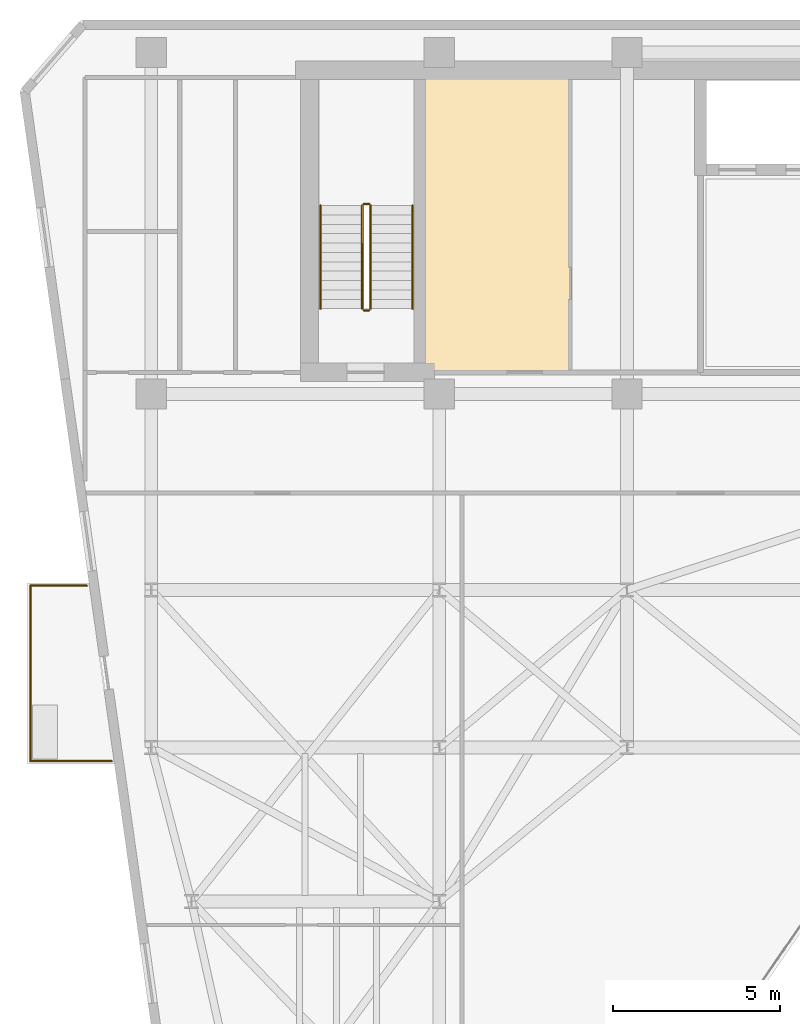
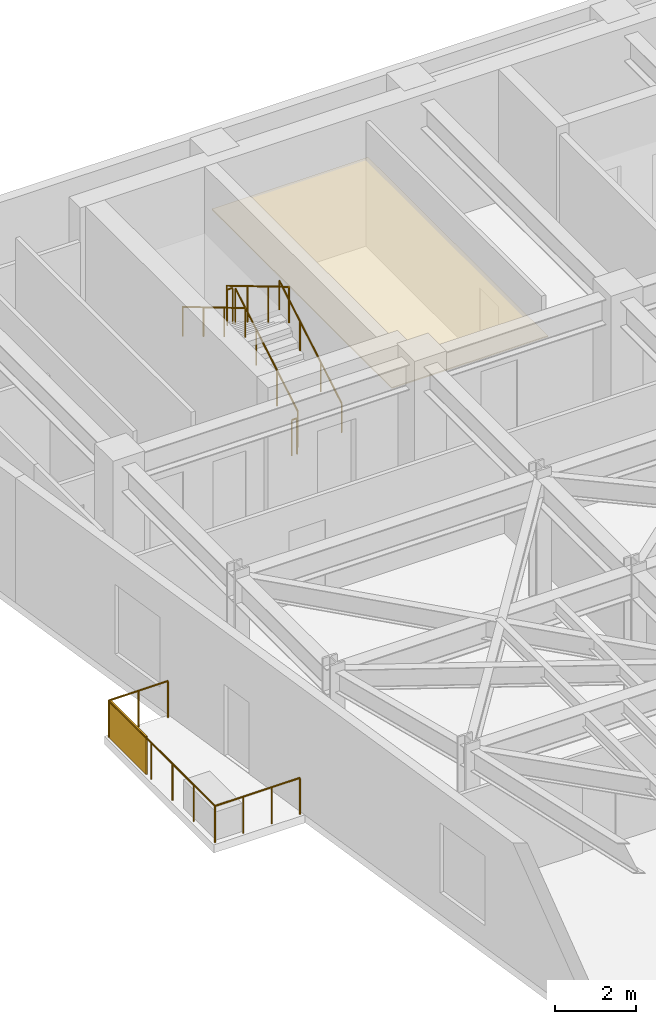
# One storey, part 19 of 21: 9 railings, 1 covering, 1 shading device.
"""IFC4 building model written with IfcOpenShell, lengths in metres."""

import ifcopenshell
import ifcopenshell.guid

model = None  # the IFC model being written
_history = None  # IfcOwnerHistory: only IFC2X3 demands one
_inside = {}  # id of a spatial element -> (the spatial element, [elements in it])
_under = {}  # id of a project, library or spatial element -> (it, [spatial elements below it])
_declared = {}  # id of a project -> (the project, [libraries it declares])
_typed = {}  # id of a type object -> (the type object, [elements of that type])
_made_of = {}  # id of a material, layer set ... -> (it, [elements and type objects made of it])


def new_model(schema):
    """Start an empty IFC model of exactly this schema.

    Asked for "IFC4X3", IfcOpenShell would pick the latest addendum, in which some entities
    have other attributes; the version numbers below select the first issue.
    IFC2X3 requires an IfcOwnerHistory on every rooted entity: one is made here for all.
    """
    global model, _history
    if schema == "IFC4X3":
        model = ifcopenshell.file(schema_version=(4, 3, 0, 0))
    else:
        model = ifcopenshell.file(schema=schema)
    _inside.clear()
    _under.clear()
    _declared.clear()
    _typed.clear()
    _made_of.clear()
    _history = None
    if model.schema == "IFC2X3":
        org = make("IfcOrganization", Name="unknown")
        user = make(
            "IfcPersonAndOrganization",
            ThePerson=make("IfcPerson", FamilyName="unknown"),
            TheOrganization=org,
        )
        app = make(
            "IfcApplication",
            ApplicationDeveloper=org,
            Version="unknown",
            ApplicationFullName="unknown",
            ApplicationIdentifier="unknown",
        )
        _history = make(
            "IfcOwnerHistory",
            OwningUser=user,
            OwningApplication=app,
            ChangeAction="ADDED",
            CreationDate=0,
        )
    return model


def make(cls, **values):
    """One entity of the class cls with the attributes given. An attribute that is None is left unset."""
    return model.create_entity(
        cls, **{name: value for name, value in values.items() if value is not None}
    )


def rooted(cls, **values):
    """An entity with a GlobalId (a new one), such as an element, a storey or a relation."""
    return make(cls, GlobalId=ifcopenshell.guid.new(), OwnerHistory=_history, **values)


def si_unit(unit_type, name, prefix=None):
    """IfcSIUnit, for example si_unit("LENGTHUNIT", "METRE", prefix="MILLI")."""
    return make("IfcSIUnit", UnitType=unit_type, Prefix=prefix, Name=name)


def assignment(units):
    """IfcUnitAssignment: the units of a project."""
    return None if units is None else make("IfcUnitAssignment", Units=units)


def point(xyz):
    """IfcCartesianPoint."""
    return None if xyz is None else make("IfcCartesianPoint", Coordinates=xyz)


def direction(xyz):
    """IfcDirection."""
    return None if xyz is None else make("IfcDirection", DirectionRatios=xyz)


def frame(location, z_axis=None, x_axis=None):
    """IfcAxis2Placement3D, a coordinate frame: its origin and axes. An axis left out is left unset."""
    return make(
        "IfcAxis2Placement3D",
        Location=point(location),
        Axis=direction(z_axis),
        RefDirection=direction(x_axis),
    )


def frame_2d(location, x_axis=None):
    """IfcAxis2Placement2D, a coordinate frame in the plane: its origin and x axis."""
    return make(
        "IfcAxis2Placement2D", Location=point(location), RefDirection=direction(x_axis)
    )


def origin():
    """The frame at (0, 0, 0) with its axes left unset."""
    return frame((0.0, 0.0, 0.0))


def origin_2d():
    """The frame at (0, 0) in the plane with its x axis left unset."""
    return frame_2d((0.0, 0.0))


def place(relative_to, where):
    """IfcLocalPlacement: puts the frame where relative to a parent placement (None: the world)."""
    return make(
        "IfcLocalPlacement", PlacementRelTo=relative_to, RelativePlacement=where
    )


def context(
    kind, dimensions, precision=None, world=None, true_north=None, identifier=None
):
    """IfcGeometricRepresentationContext, for example the 3D "Model" context."""
    return make(
        "IfcGeometricRepresentationContext",
        ContextIdentifier=identifier,
        ContextType=kind,
        CoordinateSpaceDimension=dimensions,
        Precision=precision,
        WorldCoordinateSystem=world,
        TrueNorth=true_north,
    )


def subcontext(parent, identifier, kind, view, scale=None):
    """IfcGeometricRepresentationSubContext, for example "Body" below "Model"."""
    return make(
        "IfcGeometricRepresentationSubContext",
        ContextIdentifier=identifier,
        ContextType=kind,
        ParentContext=parent,
        TargetScale=scale,
        TargetView=view,
    )


def project(units=None, contexts=None):
    """IfcProject with its units and contexts."""
    return rooted(
        "IfcProject",
        Name="project",
        RepresentationContexts=contexts,
        UnitsInContext=assignment(units),
    )


def spatial(cls, under=None, at=None, **own):
    """A site, building, storey or space (cls), placed at a placement, below another one or the project."""
    s = rooted(cls, ObjectPlacement=at, **own)
    if under is not None:
        _under.setdefault(under.id(), (under, []))[1].append(s)
    return s


def polyline(points):
    """IfcPolyline through the points."""
    return make("IfcPolyline", Points=[point(p) for p in points])


def profile(cls, at=None, kind="AREA", **sizes):
    """A parametric profile (cls). Its sizes go by their IFC names, for example OverallWidth=200.0."""
    return make(cls, ProfileType=kind, Position=at, **sizes)


def rectangle(**sizes):
    """IfcRectangleProfileDef."""
    return profile("IfcRectangleProfileDef", **sizes)


def circle(**sizes):
    """IfcCircleProfileDef."""
    return profile("IfcCircleProfileDef", **sizes)


def outline(outer, holes=None, kind="AREA"):
    """IfcArbitraryClosedProfileDef: a profile drawn as a closed curve; with holes, ...WithVoids."""
    if holes is None:
        return make("IfcArbitraryClosedProfileDef", ProfileType=kind, OuterCurve=outer)
    return make(
        "IfcArbitraryProfileDefWithVoids",
        ProfileType=kind,
        OuterCurve=outer,
        InnerCurves=holes,
    )


def extrude(swept, where, along, depth):
    """IfcExtrudedAreaSolid: the profile swept, set in the frame where, extruded along a direction by depth."""
    return make(
        "IfcExtrudedAreaSolid",
        SweptArea=swept,
        Position=where,
        ExtrudedDirection=direction(along),
        Depth=depth,
    )


def shape(context_of_items, identifier, shape_type, items):
    """IfcShapeRepresentation: the items that make up one representation, for example the "Body"."""
    return make(
        "IfcShapeRepresentation",
        ContextOfItems=context_of_items,
        RepresentationIdentifier=identifier,
        RepresentationType=shape_type,
        Items=items,
    )


def material(Name=None, Category=None):
    """IfcMaterial."""
    return make("IfcMaterial", Name=Name, Category=Category)


def layer(
    of_material, thickness, ventilated=None, Name=None, Category=None, Priority=None
):
    """IfcMaterialLayer: one layer of a wall or slab, of a material (None: an air gap)."""
    return make(
        "IfcMaterialLayer",
        Material=of_material,
        LayerThickness=thickness,
        IsVentilated=ventilated,
        Name=Name,
        Category=Category,
        Priority=Priority,
    )


def layer_set(layers, Name=None):
    """IfcMaterialLayerSet."""
    return make("IfcMaterialLayerSet", MaterialLayers=layers, LayerSetName=Name)


def made_of(thing, what):
    """Note that an element or type object is made of a material, layer set ...; save() writes the relation."""
    if what is not None:
        _made_of.setdefault(what.id(), (what, []))[1].append(thing)
    return thing


def type_object(cls, material=None, **own):
    """A type object (cls), such as IfcWallType, which elements share."""
    return made_of(rooted(cls, **own), material)


def element(
    cls,
    number,
    at=None,
    inside=None,
    cuts=None,
    type_object=None,
    material=None,
    context=None,
    identifier="Body",
    shape_type=None,
    held_by="IfcProductDefinitionShape",
    body=None,
    shapes=None,
    **own,
):
    """One element of the class cls, such as IfcWall. Its Tag is "e" and its number.

    at: its placement. inside: the storey or other place that contains it. cuts: it is an
    opening in that element (IfcRelVoidsElement). A single representation is given by context,
    identifier, shape_type and body (its items); several are given by shapes. held_by: the class
    of the entity that holds the representations. save() writes the other relations.
    """
    e = rooted(cls, Tag="e%d" % number, ObjectPlacement=at, **own)
    if body is not None:
        shapes = [shape(context, identifier, shape_type, body)]
    if shapes is not None:
        e.Representation = make(held_by, Representations=shapes)
    if inside is not None:
        _inside.setdefault(inside.id(), (inside, []))[1].append(e)
    if cuts is not None:
        rooted(
            "IfcRelVoidsElement", RelatingBuildingElement=cuts, RelatedOpeningElement=e
        )
    if type_object is not None:
        _typed.setdefault(type_object.id(), (type_object, []))[1].append(e)
    return made_of(e, material)


def aggregate(whole, parts):
    """IfcRelAggregates: a whole, such as a stair, and the parts it consists of."""
    return rooted("IfcRelAggregates", RelatingObject=whole, RelatedObjects=parts)


def save(model, path):
    """Write the relations noted so far, then the file.

    IfcRelAggregates (storeys below a building ...), IfcRelContainedInSpatialStructure (elements
    in a storey), IfcRelDefinesByType, IfcRelAssociatesMaterial and IfcRelDeclares: one each for
    every whole, place, type object, material and project.
    """
    for whole, parts in _under.values():
        aggregate(whole, parts)
    for where, things in _inside.values():
        rooted(
            "IfcRelContainedInSpatialStructure",
            RelatedElements=things,
            RelatingStructure=where,
        )
    for kind, things in _typed.values():
        rooted("IfcRelDefinesByType", RelatedObjects=things, RelatingType=kind)
    for what, things in _made_of.values():
        rooted("IfcRelAssociatesMaterial", RelatedObjects=things, RelatingMaterial=what)
    for by, libraries in _declared.values():
        rooted("IfcRelDeclares", RelatingContext=by, RelatedDefinitions=libraries)
    model.write(path)


model = new_model("IFC4")

# Units and contexts
model_context = context("Model", 3, precision=1e-05, world=origin(), true_north=direction((0.0, 1.0)))
body_context = subcontext(model_context, "Body", "Model", "MODEL_VIEW")
ifc_project = project(units=[si_unit("LENGTHUNIT", "METRE"), si_unit("AREAUNIT", "SQUARE_METRE"), si_unit("VOLUMEUNIT", "CUBIC_METRE"), si_unit("PLANEANGLEUNIT", "RADIAN"), si_unit("MASSUNIT", "GRAM", prefix="KILO")], contexts=[model_context])

# Site, building, storey
site_placement = place(None, origin())
site = spatial("IfcSite", under=ifc_project, at=site_placement, CompositionType="ELEMENT")
building_placement = place(site_placement, origin())
building = spatial("IfcBuilding", under=site, at=building_placement, Name="Kravanh Interchange Tower", CompositionType="ELEMENT")
storey_placement = place(building_placement, frame((0.0, 0.0, 176.5)))
storey = spatial("IfcBuildingStorey", under=building, at=storey_placement, Name="L42", CompositionType="ELEMENT", Elevation=176.5)

# Covering
ifc_material_1 = material(Name="Anodised Bronze Aluminium Acoustic Baffle", Category="aluminium")
ifc_layer_1 = layer(ifc_material_1, 0.034912109375)
ifc_layer_set_1 = layer_set([ifc_layer_1], Name="Linear Bronze Baffle Feature Ceiling 35mm")
covering_type = type_object("IfcCoveringType", Name="Linear Bronze Baffle Feature Ceiling 35mm", PredefinedType="CEILING", material=ifc_layer_set_1)
covering_placement = place(storey_placement, frame((0.0, 0.0, 2.550048828125)))
element("IfcCovering", 1, at=covering_placement, inside=storey, type_object=covering_type, Name="L42 Regional IT Server Suite Suspended Ceiling", PredefinedType="CEILING", context=body_context, shape_type="SweptSolid", body=[
    extrude(outline(polyline([(31.159912109375, 37.9599609375), (26.7099609375, 37.9599609375), (26.7099609375, 46.840087890625), (31.159912109375, 46.840087890625), (31.159912109375, 37.9599609375)])), origin(), (0.0, 0.0, 1.0), 0.034912109375),
])

# Shading device
ifc_material_2 = material(Name="Perforated Anodised Bronze Aluminium", Category="aluminium")
ifc_layer_2 = layer(ifc_material_2, 0.0400390625)
ifc_layer_set_2 = layer_set([ifc_layer_2], Name="Perforated Bronze Balcony Privacy Screen 1150mm")
shading_device_type = type_object("IfcShadingDeviceType", Name="Perforated Bronze Balcony Privacy Screen 1150mm", PredefinedType="USERDEFINED", material=ifc_layer_set_2)
shading_device_placement = place(storey_placement, frame((14.989990234375, 30.659912109375, 0.0), z_axis=(0.0, 0.0, 1.0), x_axis=(1.0, 0.0, 0.0)))
element("IfcShadingDevice", 2, at=shading_device_placement, inside=storey, type_object=shading_device_type, Name="L42 W Perforated Bronze BALCONY SCREEN", ObjectType="SCREEN", PredefinedType="USERDEFINED", context=body_context, shape_type="SweptSolid", body=[
    extrude(rectangle(XDim=0.0400390625, YDim=1.800048828125, at=origin_2d()), origin(), (0.0, 0.0, 1.0), 1.14990234375),
])

# Railings
ifc_material_3 = material(Name="Stainless Steel 316", Category="steel")
ifc_layer_3 = layer(ifc_material_3, 0.06005859375)
ifc_layer_set_3 = layer_set([ifc_layer_3], Name="Perimeter Balcony and Terrace Guardrail Stainless 316 1120mm")
railing_type_1 = type_object("IfcRailingType", Name="Perimeter Balcony and Terrace Guardrail Stainless 316 1120mm", PredefinedType="GUARDRAIL", material=ifc_layer_set_3)
railing_1_placement = place(storey_placement, frame((14.989990234375, 26.389892578125, 0.0)))
element("IfcRailing", 3, at=railing_1_placement, inside=storey, type_object=railing_type_1, Name="L42 W Balcony Guardrail 1", PredefinedType="GUARDRAIL", context=body_context, shape_type="SweptSolid", body=[
    extrude(circle(Radius=0.02392578125, at=origin_2d()), frame((0.0, 0.0, 1.09619140625), z_axis=(0.0, 1.0, 0.0), x_axis=(-1.0, 0.0, 0.0)), (0.0, 0.0, 1.0), 5.239990234375),
    extrude(circle(Radius=0.02099609375, at=origin_2d()), origin(), (0.0, 0.0, 1.0), 1.072021484375),
    extrude(circle(Radius=0.02099609375, at=origin_2d()), frame((0.0, 1.048095703125, 0.0)), (0.0, 0.0, 1.0), 1.072021484375),
    extrude(circle(Radius=0.02099609375, at=origin_2d()), frame((0.0, 2.095947265625, 0.0)), (0.0, 0.0, 1.0), 1.072021484375),
    extrude(circle(Radius=0.02099609375, at=origin_2d()), frame((0.0, 3.14404296875, 0.0)), (0.0, 0.0, 1.0), 1.072021484375),
    extrude(circle(Radius=0.02099609375, at=origin_2d()), frame((0.0, 4.19189453125, 0.0)), (0.0, 0.0, 1.0), 1.072021484375),
    extrude(circle(Radius=0.02099609375, at=origin_2d()), frame((0.0, 5.239990234375, 0.0)), (0.0, 0.0, 1.0), 1.072021484375),
])
railing_2_placement = place(storey_placement, frame((14.989990234375, 31.6298828125, 0.0)))
element("IfcRailing", 4, at=railing_2_placement, inside=storey, type_object=railing_type_1, Name="L42 W Balcony Guardrail 2", PredefinedType="GUARDRAIL", context=body_context, shape_type="SweptSolid", body=[
    extrude(circle(Radius=0.02392578125, at=origin_2d()), frame((0.0, 0.0, 1.09619140625), z_axis=(1.0, 0.0, 0.0), x_axis=(0.0, 1.0, 0.0)), (0.0, 0.0, 1.0), 1.68505859375),
    extrude(circle(Radius=0.02099609375, at=origin_2d()), origin(), (0.0, 0.0, 1.0), 1.072021484375),
    extrude(circle(Radius=0.02099609375, at=origin_2d()), frame((0.842529296875, 0.0, 0.0)), (0.0, 0.0, 1.0), 1.072021484375),
    extrude(circle(Radius=0.02099609375, at=origin_2d()), frame((1.68505859375, 0.0, 0.0)), (0.0, 0.0, 1.0), 1.072021484375),
])
railing_3_placement = place(storey_placement, frame((17.41162109375, 26.389892578125, 0.0)))
element("IfcRailing", 5, at=railing_3_placement, inside=storey, type_object=railing_type_1, Name="L42 W Balcony Guardrail 3", PredefinedType="GUARDRAIL", context=body_context, shape_type="SweptSolid", body=[
    extrude(circle(Radius=0.02392578125, at=origin_2d()), frame((0.0, 0.0, 1.09619140625), z_axis=(-1.0, 0.0, 0.0), x_axis=(0.0, -1.0, 0.0)), (0.0, 0.0, 1.0), 2.421630859375),
    extrude(circle(Radius=0.02099609375, at=origin_2d()), origin(), (0.0, 0.0, 1.0), 1.072021484375),
    extrude(circle(Radius=0.02099609375, at=origin_2d()), frame((-0.80712890625, 0.0, 0.0)), (0.0, 0.0, 1.0), 1.072021484375),
    extrude(circle(Radius=0.02099609375, at=origin_2d()), frame((-1.614501953125, 0.0, 0.0)), (0.0, 0.0, 1.0), 1.072021484375),
    extrude(circle(Radius=0.02099609375, at=origin_2d()), frame((-2.421630859375, 0.0, 0.0)), (0.0, 0.0, 1.0), 1.072021484375),
])
ifc_material_4 = material(Name="Structural Steel S355", Category="steel")
ifc_layer_4 = layer(ifc_material_4, 0.050048828125)
ifc_layer_set_4 = layer_set([ifc_layer_4], Name="Stair Well Guardrail Structural Steel S355 1100mm")
railing_type_2 = type_object("IfcRailingType", Name="Stair Well Guardrail Structural Steel S355 1100mm", PredefinedType="GUARDRAIL", material=ifc_layer_set_4)
railing_4_placement = place(storey_placement, frame((25.14990234375, 39.89990234375, 0.166748046875)))
element("IfcRailing", 6, at=railing_4_placement, inside=storey, type_object=railing_type_2, Name="L42 ST3 stair guard 1", PredefinedType="GUARDRAIL", context=body_context, shape_type="SweptSolid", body=[
    extrude(circle(Radius=0.02392578125, at=origin_2d()), frame((0.0, 0.0, 1.076171875), z_axis=(0.0, 0.859308565015, 0.511457515432), x_axis=(-1.0, 0.0, 0.0)), (0.0, 0.0, 1.0), 3.58447265625),
    extrude(circle(Radius=0.02099609375, at=origin_2d()), origin(), (0.0, 0.0, 1.0), 1.052001953125),
    extrude(circle(Radius=0.02099609375, at=origin_2d()), frame((0.0, 1.026611328125, 0.611083984375)), (0.0, 0.0, 1.0), 1.052001953125),
    extrude(circle(Radius=0.02099609375, at=origin_2d()), frame((0.0, 2.053466796875, 1.22216796875)), (0.0, 0.0, 1.0), 1.052001953125),
    extrude(circle(Radius=0.02099609375, at=origin_2d()), frame((0.0, 3.080078125, 1.833251953125)), (0.0, 0.0, 1.0), 1.052001953125),
])
railing_5_placement = place(storey_placement, frame((25.10009765625, 43.030029296875, 2.0)))
element("IfcRailing", 7, at=railing_5_placement, inside=storey, type_object=railing_type_2, Name="L42 ST3 stair guard 2", PredefinedType="GUARDRAIL", context=body_context, shape_type="SweptSolid", body=[
    extrude(circle(Radius=0.02392578125, at=origin_2d()), frame((0.0, 0.0, 1.076171875), z_axis=(-1.0, 0.0, 0.0), x_axis=(0.0, -1.0, 0.0)), (0.0, 0.0, 1.0), 0.150146484375),
    extrude(circle(Radius=0.02099609375, at=origin_2d()), origin(), (0.0, 0.0, 1.0), 1.052001953125),
    extrude(circle(Radius=0.02099609375, at=origin_2d()), frame((-0.150146484375, 0.0, 0.0)), (0.0, 0.0, 1.0), 1.052001953125),
])
railing_6_placement = place(storey_placement, frame((24.89990234375, 42.97998046875, 2.166748046875)))
element("IfcRailing", 8, at=railing_6_placement, inside=storey, type_object=railing_type_2, Name="L42 ST3 stair guard 3", PredefinedType="GUARDRAIL", context=body_context, shape_type="SweptSolid", body=[
    extrude(circle(Radius=0.02392578125, at=origin_2d()), frame((0.0, 0.0, 1.076171875), z_axis=(0.0, -0.859308565015, 0.511457515432), x_axis=(1.0, 0.0, 0.0)), (0.0, 0.0, 1.0), 3.58447265625),
    extrude(circle(Radius=0.02099609375, at=origin_2d()), origin(), (0.0, 0.0, 1.0), 1.052001953125),
    extrude(circle(Radius=0.02099609375, at=origin_2d()), frame((0.0, -1.026611328125, 0.611083984375)), (0.0, 0.0, 1.0), 1.052001953125),
    extrude(circle(Radius=0.02099609375, at=origin_2d()), frame((0.0, -2.053466796875, 1.22216796875)), (0.0, 0.0, 1.0), 1.052001953125),
    extrude(circle(Radius=0.02099609375, at=origin_2d()), frame((0.0, -3.080078125, 1.833251953125)), (0.0, 0.0, 1.0), 1.052001953125),
])
railing_7_placement = place(storey_placement, frame((25.10009765625, 39.85009765625, 0.0)))
element("IfcRailing", 9, at=railing_7_placement, inside=storey, type_object=railing_type_2, Name="L42 ST3 stair guard 4", PredefinedType="GUARDRAIL", context=body_context, shape_type="SweptSolid", body=[
    extrude(circle(Radius=0.02392578125, at=origin_2d()), frame((0.0, 0.0, 1.076171875), z_axis=(-1.0, 0.0, 0.0), x_axis=(0.0, -1.0, 0.0)), (0.0, 0.0, 1.0), 0.150146484375),
    extrude(circle(Radius=0.02099609375, at=origin_2d()), origin(), (0.0, 0.0, 1.0), 1.052001953125),
    extrude(circle(Radius=0.02099609375, at=origin_2d()), frame((-0.150146484375, 0.0, 0.0)), (0.0, 0.0, 1.0), 1.052001953125),
])
ifc_material_5 = material(Name="Stainless Steel 304", Category="steel")
ifc_layer_5 = layer(ifc_material_5, 0.044921875)
ifc_layer_set_5 = layer_set([ifc_layer_5], Name="Tubular Stair Handrail Stainless 304 900mm")
railing_type_3 = type_object("IfcRailingType", Name="Tubular Stair Handrail Stainless 304 900mm", PredefinedType="HANDRAIL", material=ifc_layer_set_5)
railing_8_placement = place(storey_placement, frame((26.39990234375, 39.89990234375, 0.166748046875)))
element("IfcRailing", 10, at=railing_8_placement, inside=storey, type_object=railing_type_3, Name="L42 ST3 stair handrail 1", PredefinedType="HANDRAIL", context=body_context, shape_type="SweptSolid", body=[
    extrude(circle(Radius=0.02392578125, at=origin_2d()), frame((0.0, 0.0, 0.8759765625), z_axis=(0.0, 0.859308565015, 0.511457515432), x_axis=(-1.0, 0.0, 0.0)), (0.0, 0.0, 1.0), 3.58447265625),
    extrude(circle(Radius=0.02099609375, at=origin_2d()), origin(), (0.0, 0.0, 1.0), 0.851806640625),
    extrude(circle(Radius=0.02099609375, at=origin_2d()), frame((0.0, 1.026611328125, 0.611083984375)), (0.0, 0.0, 1.0), 0.851806640625),
    extrude(circle(Radius=0.02099609375, at=origin_2d()), frame((0.0, 2.053466796875, 1.22216796875)), (0.0, 0.0, 1.0), 0.851806640625),
    extrude(circle(Radius=0.02099609375, at=origin_2d()), frame((0.0, 3.080078125, 1.833251953125)), (0.0, 0.0, 1.0), 0.851806640625),
])
railing_9_placement = place(storey_placement, frame((23.64990234375, 42.97998046875, 2.166748046875)))
element("IfcRailing", 11, at=railing_9_placement, inside=storey, type_object=railing_type_3, Name="L42 ST3 stair handrail 2", PredefinedType="HANDRAIL", context=body_context, shape_type="SweptSolid", body=[
    extrude(circle(Radius=0.02392578125, at=origin_2d()), frame((0.0, 0.0, 0.8759765625), z_axis=(0.0, -0.859308565015, 0.511457515432), x_axis=(1.0, 0.0, 0.0)), (0.0, 0.0, 1.0), 3.58447265625),
    extrude(circle(Radius=0.02099609375, at=origin_2d()), origin(), (0.0, 0.0, 1.0), 0.851806640625),
    extrude(circle(Radius=0.02099609375, at=origin_2d()), frame((0.0, -1.026611328125, 0.611083984375)), (0.0, 0.0, 1.0), 0.851806640625),
    extrude(circle(Radius=0.02099609375, at=origin_2d()), frame((0.0, -2.053466796875, 1.22216796875)), (0.0, 0.0, 1.0), 0.851806640625),
    extrude(circle(Radius=0.02099609375, at=origin_2d()), frame((0.0, -3.080078125, 1.833251953125)), (0.0, 0.0, 1.0), 0.851806640625),
])

save(model, "model.ifc")
